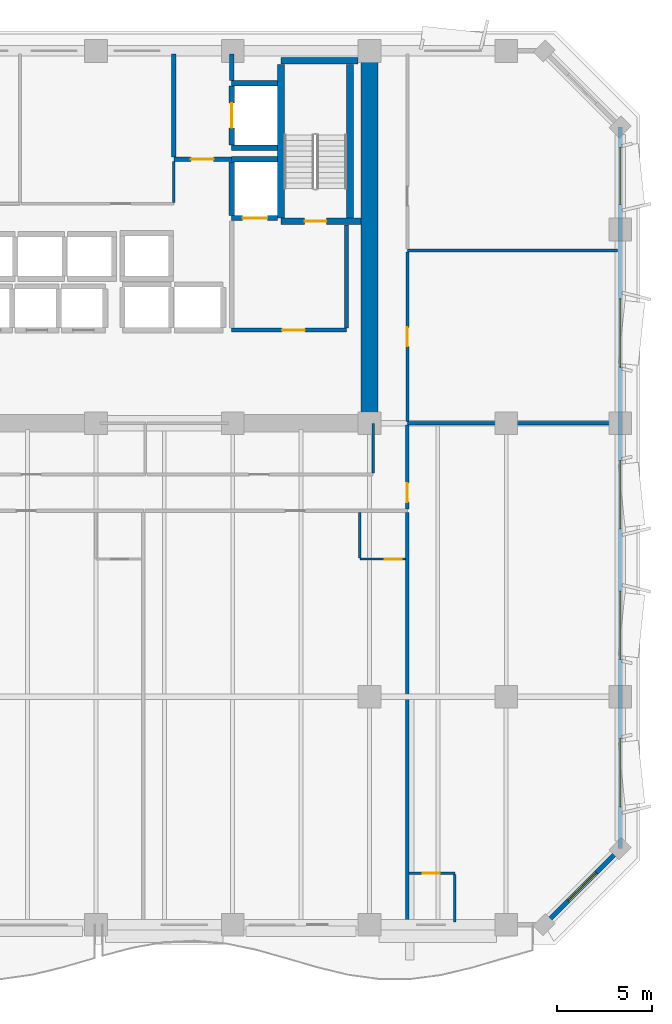
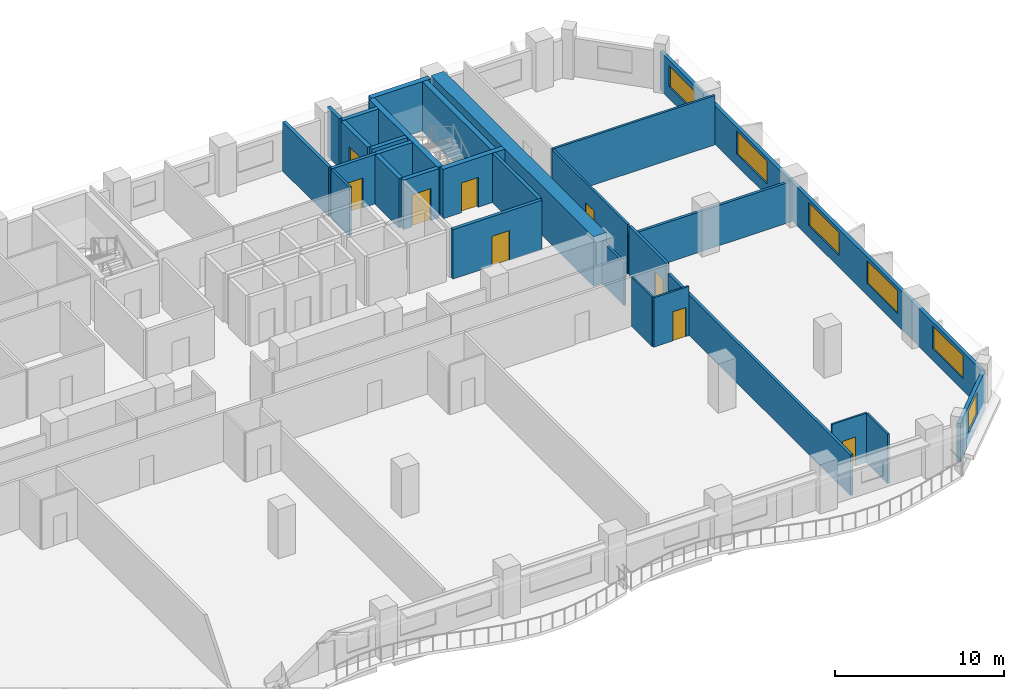
# One storey, part 8 of 14: 29 walls, 9 doors, 6 windows, 15 openings.
"""IFC4 building model written with IfcOpenShell, lengths in metres."""

from ifc_helpers import new_model, si_unit, direction, frame, frame_2d, origin, place, context, subcontext, project, spatial, rectangle, extrude, material, layer, layer_set, type_object, element, fill, save


model = new_model("IFC4")

# Units and contexts
model_context = context("Model", 3, precision=1e-05, world=origin(), true_north=direction((0.0, 1.0)))
body_context = subcontext(model_context, "Body", "Model", "MODEL_VIEW")
ifc_project = project(units=[si_unit("LENGTHUNIT", "METRE"), si_unit("AREAUNIT", "SQUARE_METRE"), si_unit("VOLUMEUNIT", "CUBIC_METRE"), si_unit("PLANEANGLEUNIT", "RADIAN"), si_unit("MASSUNIT", "GRAM", prefix="KILO")], contexts=[model_context])

# Site, building, storey
site_placement = place(None, origin())
site = spatial("IfcSite", under=ifc_project, at=site_placement, CompositionType="ELEMENT")
building_placement = place(site_placement, origin())
building = spatial("IfcBuilding", under=site, at=building_placement, Name="Kaelvorn Grand Hotel", CompositionType="ELEMENT")
storey_placement = place(building_placement, frame((0.0, 0.0, 212.949951171875)))
storey = spatial("IfcBuildingStorey", under=building, at=storey_placement, Name="L52", CompositionType="ELEMENT", Elevation=212.949951171875)

# Wall
ifc_material_1 = material(Name="Concrete C60/75", Category="concrete")
ifc_layer_1 = layer(ifc_material_1, 0.89990234375)
ifc_layer_set_1 = layer_set([ifc_layer_1], Name="Concrete C60/75")
wall_type_1 = type_object("IfcWallType", Name="WL-CORE-900-C60", PredefinedType="SHEAR", material=ifc_layer_set_1)
wall_1_placement = place(storey_placement, frame((67.800048828125, 29.39990234375, 0.0), z_axis=(0.0, 0.0, 1.0), x_axis=(0.0, 1.0, 0.0)))
element("IfcWall", 1, at=wall_1_placement, inside=storey, type_object=wall_type_1, Name="L52 Rear-Core East Shear Wall", PredefinedType="SHEAR", context=body_context, shape_type="SweptSolid", body=[
    extrude(rectangle(XDim=19.2001953125, YDim=0.89990234375, at=frame_2d((9.60009765625, 0.0))), origin(), (0.0, 0.0, 1.0), 3.56005859375),
])

# Wall, opening, window
ifc_material_2 = material(Name="Concrete C40/50", Category="concrete")
ifc_layer_2 = layer(ifc_material_2, 0.239990234375)
ifc_layer_set_2 = layer_set([ifc_layer_2], Name="Concrete C40/50")
wall_type_2 = type_object("IfcWallType", Name="WL-EXT-240-C40", PredefinedType="SOLIDWALL", material=ifc_layer_set_2)
wall_2_placement = place(storey_placement, frame((77.0, 3.0, 0.0), z_axis=(0.0, 0.0, 1.0), x_axis=(0.707106781187, 0.707106781187, 0.0)))
wall_2 = element("IfcWall", 2, at=wall_2_placement, inside=storey, type_object=wall_type_2, Name="L52 Exterior Architectural Concrete Wall 02", PredefinedType="SOLIDWALL", context=body_context, shape_type="SweptSolid", body=[
    extrude(rectangle(XDim=5.65673828125, YDim=0.239990234375, at=frame_2d((2.828369140625, 0.0))), origin(), (0.0, 0.0, 1.0), 2.760009765625),
])
opening_1_placement = place(wall_2_placement, frame((1.7783203125, 0.0, 0.85009765625)))
opening_1 = element("IfcOpeningElement", 3, at=opening_1_placement, cuts=wall_2, Name="Opening W7", PredefinedType="OPENING", context=body_context, shape_type="SweptSolid", body=[
    extrude(rectangle(XDim=2.10009765625, YDim=1.60009765625, at=frame_2d((1.050048828125, 0.800048828125))), frame((0.0, 0.1298828125, 0.0), z_axis=(0.0, -1.0, 0.0), x_axis=(1.0, 0.0, 0.0)), (0.0, 0.0, 1.0), 0.260009765625),
])
ifc_material_3 = material(Name="Laminated Low-E Glass", Category="glass")
window_type_1 = type_object("IfcWindowType", Name="WIN-CHM-2100x1600", PartitioningType="SINGLE_PANEL", PredefinedType="WINDOW", material=ifc_material_3)
window_1_placement = place(opening_1_placement, origin())
window_1 = element("IfcWindow", 4, at=window_1_placement, inside=storey, type_object=window_type_1, Name="L52 Chamfered 45-Degree Corner Window SE", OverallHeight=1.60009765625, OverallWidth=2.10009765625, PartitioningType="SINGLE_PANEL", PredefinedType="WINDOW", context=body_context, shape_type="SweptSolid", body=[
    extrude(rectangle(XDim=2.10009765625, YDim=1.60009765625, at=frame_2d((1.050048828125, 0.800048828125))), frame((0.0, 0.030029296875, 0.0), z_axis=(0.0, -1.0, 0.0), x_axis=(1.0, 0.0, 0.0)), (0.0, 0.0, 1.0), 0.06005859375),
])
fill(opening_1, window_1)

# Wall, openings, windows
wall_3_placement = place(storey_placement, frame((81.0, 7.0, 0.0), z_axis=(0.0, 0.0, 1.0), x_axis=(0.0, 1.0, 0.0)))
wall_3 = element("IfcWall", 5, at=wall_3_placement, inside=storey, type_object=wall_type_2, Name="L52 Exterior Architectural Concrete Wall 03", PredefinedType="SOLIDWALL", context=body_context, shape_type="SweptSolid", body=[
    extrude(rectangle(XDim=38.0, YDim=0.239990234375, at=frame_2d((19.0, 0.0))), origin(), (0.0, 0.0, 1.0), 2.760009765625),
])
opening_2_placement = place(wall_3_placement, frame((2.199951171875, 0.0, 0.85009765625)))
opening_2 = element("IfcOpeningElement", 6, at=opening_2_placement, cuts=wall_3, Name="Opening W3", PredefinedType="OPENING", context=body_context, shape_type="SweptSolid", body=[
    extrude(rectangle(XDim=3.60009765625, YDim=1.64990234375, at=frame_2d((1.800048828125, 0.824951171875))), frame((0.0, 0.1298828125, 0.0), z_axis=(0.0, -1.0, 0.0), x_axis=(1.0, 0.0, 0.0)), (0.0, 0.0, 1.0), 0.260009765625),
])
opening_3_placement = place(wall_3_placement, frame((9.965087890625, 0.0, 0.85009765625)))
opening_3 = element("IfcOpeningElement", 7, at=opening_3_placement, cuts=wall_3, Name="Opening W3", PredefinedType="OPENING", context=body_context, shape_type="SweptSolid", body=[
    extrude(rectangle(XDim=3.60009765625, YDim=1.64990234375, at=frame_2d((1.800048828125, 0.824951171875))), frame((0.0, 0.1298828125, 0.0), z_axis=(0.0, -1.0, 0.0), x_axis=(1.0, 0.0, 0.0)), (0.0, 0.0, 1.0), 0.260009765625),
])
opening_4_placement = place(wall_3_placement, frame((16.8349609375, 0.0, 0.85009765625)))
opening_4 = element("IfcOpeningElement", 8, at=opening_4_placement, cuts=wall_3, Name="Opening W3", PredefinedType="OPENING", context=body_context, shape_type="SweptSolid", body=[
    extrude(rectangle(XDim=3.60009765625, YDim=1.64990234375, at=frame_2d((1.800048828125, 0.824951171875))), frame((0.0, 0.1298828125, 0.0), z_axis=(0.0, -1.0, 0.0), x_axis=(1.0, 0.0, 0.0)), (0.0, 0.0, 1.0), 0.260009765625),
])
opening_5_placement = place(wall_3_placement, frame((25.35009765625, 0.0, 0.85009765625)))
opening_5 = element("IfcOpeningElement", 9, at=opening_5_placement, cuts=wall_3, Name="Opening W3", PredefinedType="OPENING", context=body_context, shape_type="SweptSolid", body=[
    extrude(rectangle(XDim=3.60009765625, YDim=1.64990234375, at=frame_2d((1.800048828125, 0.824951171875))), frame((0.0, 0.1298828125, 0.0), z_axis=(0.0, -1.0, 0.0), x_axis=(1.0, 0.0, 0.0)), (0.0, 0.0, 1.0), 0.260009765625),
])
opening_6_placement = place(wall_3_placement, frame((33.9150390625, 0.0, 0.85009765625)))
opening_6 = element("IfcOpeningElement", 10, at=opening_6_placement, cuts=wall_3, Name="Opening W5", PredefinedType="OPENING", context=body_context, shape_type="SweptSolid", body=[
    extrude(rectangle(XDim=3.0, YDim=1.5, at=frame_2d((1.5, 0.75))), frame((0.0, 0.1298828125, 0.0), z_axis=(0.0, -1.0, 0.0), x_axis=(1.0, 0.0, 0.0)), (0.0, 0.0, 1.0), 0.260009765625),
])
window_type_2 = type_object("IfcWindowType", Name="WIN-NTH-3000x1500", PartitioningType="SINGLE_PANEL", PredefinedType="WINDOW", material=ifc_material_3)
window_2_placement = place(opening_6_placement, origin())
window_2 = element("IfcWindow", 11, at=window_2_placement, inside=storey, type_object=window_type_2, Name="L52 E Wing Tilted-Frame Ribbon Window E05", OverallHeight=1.5, OverallWidth=3.0, PartitioningType="SINGLE_PANEL", PredefinedType="WINDOW", context=body_context, shape_type="SweptSolid", body=[
    extrude(rectangle(XDim=3.0, YDim=1.5, at=frame_2d((1.5, 0.75))), frame((0.0, 0.030029296875, 0.0), z_axis=(0.0, -1.0, 0.0), x_axis=(1.0, 0.0, 0.0)), (0.0, 0.0, 1.0), 0.06005859375),
])
fill(opening_6, window_2)
window_type_3 = type_object("IfcWindowType", Name="WIN-RIB-3600x1750", PartitioningType="SINGLE_PANEL", PredefinedType="WINDOW", material=ifc_material_3)
window_3_placement = place(opening_2_placement, origin())
window_3 = element("IfcWindow", 12, at=window_3_placement, inside=storey, type_object=window_type_3, Name="L52 E Wing Tilted-Frame Ribbon Window E01", OverallHeight=1.64990234375, OverallWidth=3.60009765625, PartitioningType="SINGLE_PANEL", PredefinedType="WINDOW", context=body_context, shape_type="SweptSolid", body=[
    extrude(rectangle(XDim=3.60009765625, YDim=1.64990234375, at=frame_2d((1.800048828125, 0.824951171875))), frame((0.0, 0.030029296875, 0.0), z_axis=(0.0, -1.0, 0.0), x_axis=(1.0, 0.0, 0.0)), (0.0, 0.0, 1.0), 0.06005859375),
])
fill(opening_2, window_3)
window_4_placement = place(opening_3_placement, origin())
window_4 = element("IfcWindow", 13, at=window_4_placement, inside=storey, type_object=window_type_3, Name="L52 E Wing Tilted-Frame Ribbon Window E02", OverallHeight=1.64990234375, OverallWidth=3.60009765625, PartitioningType="SINGLE_PANEL", PredefinedType="WINDOW", context=body_context, shape_type="SweptSolid", body=[
    extrude(rectangle(XDim=3.60009765625, YDim=1.64990234375, at=frame_2d((1.800048828125, 0.824951171875))), frame((0.0, 0.030029296875, 0.0), z_axis=(0.0, -1.0, 0.0), x_axis=(1.0, 0.0, 0.0)), (0.0, 0.0, 1.0), 0.06005859375),
])
fill(opening_3, window_4)
window_5_placement = place(opening_4_placement, origin())
window_5 = element("IfcWindow", 14, at=window_5_placement, inside=storey, type_object=window_type_3, Name="L52 E Wing Tilted-Frame Ribbon Window E03", OverallHeight=1.64990234375, OverallWidth=3.60009765625, PartitioningType="SINGLE_PANEL", PredefinedType="WINDOW", context=body_context, shape_type="SweptSolid", body=[
    extrude(rectangle(XDim=3.60009765625, YDim=1.64990234375, at=frame_2d((1.800048828125, 0.824951171875))), frame((0.0, 0.030029296875, 0.0), z_axis=(0.0, -1.0, 0.0), x_axis=(1.0, 0.0, 0.0)), (0.0, 0.0, 1.0), 0.06005859375),
])
fill(opening_4, window_5)
window_6_placement = place(opening_5_placement, origin())
window_6 = element("IfcWindow", 15, at=window_6_placement, inside=storey, type_object=window_type_3, Name="L52 E Wing Tilted-Frame Ribbon Window E04", OverallHeight=1.64990234375, OverallWidth=3.60009765625, PartitioningType="SINGLE_PANEL", PredefinedType="WINDOW", context=body_context, shape_type="SweptSolid", body=[
    extrude(rectangle(XDim=3.60009765625, YDim=1.64990234375, at=frame_2d((1.800048828125, 0.824951171875))), frame((0.0, 0.030029296875, 0.0), z_axis=(0.0, -1.0, 0.0), x_axis=(1.0, 0.0, 0.0)), (0.0, 0.0, 1.0), 0.06005859375),
])
fill(opening_5, window_6)

# Wall, opening, door
ifc_material_4 = material(Name="Moisture-Resistant Tile & Stud Board")
ifc_layer_3 = layer(ifc_material_4, 0.125)
ifc_layer_set_3 = layer_set([ifc_layer_3], Name="Moisture-Resistant Tile & Stud Board")
wall_type_3 = type_object("IfcWallType", Name="WL-PART-125-WET", PredefinedType="PARTITIONING", material=ifc_layer_set_3)
wall_4_placement = place(storey_placement, frame((67.300048828125, 22.25, 0.0), z_axis=(0.0, 0.0, 1.0), x_axis=(1.0, 0.0, 0.0)))
wall_4 = element("IfcWall", 16, at=wall_4_placement, inside=storey, type_object=wall_type_3, Name="L52 En-suite Bathroom L52-04 S Partition", PredefinedType="PARTITIONING", context=body_context, shape_type="SweptSolid", body=[
    extrude(rectangle(XDim=2.405029296875, YDim=0.125, at=frame_2d((1.20263671875, 0.0))), origin(), (0.0, 0.0, 1.0), 3.56005859375),
])
opening_7_placement = place(wall_4_placement, frame((1.300048828125, 0.0, 0.0)))
opening_7 = element("IfcOpeningElement", 17, at=opening_7_placement, cuts=wall_4, Name="Opening DI4", PredefinedType="OPENING", context=body_context, shape_type="SweptSolid", body=[
    extrude(rectangle(XDim=0.89990234375, YDim=2.10009765625, at=frame_2d((0.449951171875, 1.050048828125))), frame((0.0, 0.072509765625, 0.0), z_axis=(0.0, -1.0, 0.0), x_axis=(1.0, 0.0, 0.0)), (0.0, 0.0, 1.0), 0.14501953125),
])
ifc_material_5 = material(Name="Timber Veneer Leaf", Category="wood")
door_type_1 = type_object("IfcDoorType", Name="DR-INT-BATH-900x2100", OperationType="NOTDEFINED", PredefinedType="DOOR", material=ifc_material_5)
door_1_placement = place(opening_7_placement, origin())
door_1 = element("IfcDoor", 18, at=door_1_placement, inside=storey, type_object=door_type_1, Name="L52 En-suite Bathroom L52-04 Door", OperationType="SINGLE_SWING_LEFT", OverallHeight=2.10009765625, OverallWidth=0.89990234375, PredefinedType="DOOR", context=body_context, shape_type="SweptSolid", body=[
    extrude(rectangle(XDim=0.89990234375, YDim=2.10009765625, at=frame_2d((0.449951171875, 1.050048828125))), frame((0.0, 0.02490234375, 0.0), z_axis=(0.0, -1.0, 0.0), x_axis=(1.0, 0.0, 0.0)), (0.0, 0.0, 1.0), 0.050048828125),
])
fill(opening_7, door_1)

# Wall
wall_5_placement = place(storey_placement, frame((67.300048828125, 22.3173828125, 0.0), z_axis=(0.0, 0.0, 1.0), x_axis=(0.0, 1.0, 0.0)))
element("IfcWall", 19, at=wall_5_placement, inside=storey, type_object=wall_type_3, Name="L52 En-suite Bathroom L52-04 W Partition", PredefinedType="PARTITIONING", context=body_context, shape_type="SweptSolid", body=[
    extrude(rectangle(XDim=2.3876953125, YDim=0.125, at=frame_2d((1.19384765625, 0.0))), origin(), (0.0, 0.0, 1.0), 3.56005859375),
])

# Wall, opening, door
wall_6_placement = place(storey_placement, frame((69.89501953125, 5.699951171875, 0.0), z_axis=(0.0, 0.0, 1.0), x_axis=(1.0, 0.0, 0.0)))
wall_6 = element("IfcWall", 20, at=wall_6_placement, inside=storey, type_object=wall_type_3, Name="L52 En-suite Bathroom L52-06 N Partition", PredefinedType="PARTITIONING", context=body_context, shape_type="SweptSolid", body=[
    extrude(rectangle(XDim=2.405029296875, YDim=0.125, at=frame_2d((1.20263671875, 0.0))), origin(), (0.0, 0.0, 1.0), 3.56005859375),
])
opening_8_placement = place(wall_6_placement, frame((0.705078125, 0.0, 0.0)))
opening_8 = element("IfcOpeningElement", 21, at=opening_8_placement, cuts=wall_6, Name="Opening DI4", PredefinedType="OPENING", context=body_context, shape_type="SweptSolid", body=[
    extrude(rectangle(XDim=0.89990234375, YDim=2.10009765625, at=frame_2d((0.449951171875, 1.050048828125))), frame((0.0, 0.072509765625, 0.0), z_axis=(0.0, -1.0, 0.0), x_axis=(1.0, 0.0, 0.0)), (0.0, 0.0, 1.0), 0.14501953125),
])
door_2_placement = place(opening_8_placement, origin())
door_2 = element("IfcDoor", 22, at=door_2_placement, inside=storey, type_object=door_type_1, Name="L52 En-suite Bathroom L52-06 Door", OperationType="SINGLE_SWING_LEFT", OverallHeight=2.10009765625, OverallWidth=0.89990234375, PredefinedType="DOOR", context=body_context, shape_type="SweptSolid", body=[
    extrude(rectangle(XDim=0.89990234375, YDim=2.10009765625, at=frame_2d((0.449951171875, 1.050048828125))), frame((0.0, 0.02490234375, 0.0), z_axis=(0.0, -1.0, 0.0), x_axis=(1.0, 0.0, 0.0)), (0.0, 0.0, 1.0), 0.050048828125),
])
fill(opening_8, door_2)

# Walls
wall_7_placement = place(storey_placement, frame((72.300048828125, 3.14990234375, 0.0), z_axis=(0.0, 0.0, 1.0), x_axis=(0.0, 1.0, 0.0)))
element("IfcWall", 23, at=wall_7_placement, inside=storey, type_object=wall_type_3, Name="L52 En-suite Bathroom L52-06 E Partition", PredefinedType="PARTITIONING", context=body_context, shape_type="SweptSolid", body=[
    extrude(rectangle(XDim=2.482666015625, YDim=0.125, at=frame_2d((1.2412109375, 0.0))), origin(), (0.0, 0.0, 1.0), 3.56005859375),
])
ifc_material_6 = material(Name="Acoustic Gypsum & Stud Partition")
ifc_layer_4 = layer(ifc_material_6, 0.14990234375)
ifc_layer_set_4 = layer_set([ifc_layer_4], Name="Acoustic Gypsum & Stud Partition")
wall_type_4 = type_object("IfcWallType", Name="WL-PART-150-EI60", PredefinedType="PARTITIONING", material=ifc_layer_set_4)
wall_8_placement = place(storey_placement, frame((57.5, 41.030029296875, 0.0), z_axis=(0.0, 0.0, 1.0), x_axis=(0.0, 1.0, 0.0)))
element("IfcWall", 24, at=wall_8_placement, inside=storey, type_object=wall_type_4, Name="L52 Butler Servery Pantry E Partition", PredefinedType="PARTITIONING", context=body_context, shape_type="SweptSolid", body=[
    extrude(rectangle(XDim=2.155029296875, YDim=0.14990234375, at=frame_2d((1.07763671875, 0.0))), origin(), (0.0, 0.0, 1.0), 3.56005859375),
])
wall_9_placement = place(storey_placement, frame((68.0, 26.780029296875, 0.0), z_axis=(0.0, 0.0, 1.0), x_axis=(0.0, 1.0, 0.0)))
element("IfcWall", 25, at=wall_9_placement, inside=storey, type_object=wall_type_4, Name="L52 Trade Advisory Office E Partition", PredefinedType="PARTITIONING", context=body_context, shape_type="SweptSolid", body=[
    extrude(rectangle(XDim=2.60986328125, YDim=0.14990234375, at=frame_2d((1.304931640625, 0.0))), origin(), (0.0, 0.0, 1.0), 3.06005859375),
])
wall_10_placement = place(storey_placement, frame((69.800048828125, 38.5, 0.0), z_axis=(0.0, 0.0, 1.0), x_axis=(1.0, 0.0, 0.0)))
element("IfcWall", 26, at=wall_10_placement, inside=storey, type_object=wall_type_4, Name="L52 North-East Trade Advisory Office N Partition", PredefinedType="PARTITIONING", context=body_context, shape_type="SweptSolid", body=[
    extrude(rectangle(XDim=11.050048828125, YDim=0.14990234375, at=frame_2d((5.52490234375, 0.0))), origin(), (0.0, 0.0, 1.0), 3.56005859375),
])

# Wall, opening, door
wall_11_placement = place(storey_placement, frame((69.800048828125, 29.4951171875, 0.0), z_axis=(0.0, 0.0, 1.0), x_axis=(0.0, 1.0, 0.0)))
wall_11 = element("IfcWall", 27, at=wall_11_placement, inside=storey, type_object=wall_type_4, Name="L52 North-East Trade Advisory Office W Partition", PredefinedType="PARTITIONING", context=body_context, shape_type="SweptSolid", body=[
    extrude(rectangle(XDim=8.9248046875, YDim=0.14990234375, at=frame_2d((4.46240234375, 0.0))), origin(), (0.0, 0.0, 1.0), 3.56005859375),
])
opening_9_placement = place(wall_11_placement, frame((3.955078125, 0.0, 0.0)))
opening_9 = element("IfcOpeningElement", 28, at=opening_9_placement, cuts=wall_11, Name="Opening DI3", PredefinedType="OPENING", context=body_context, shape_type="SweptSolid", body=[
    extrude(rectangle(XDim=1.0, YDim=2.14990234375, at=frame_2d((0.5, 1.074951171875))), frame((0.0, 0.0849609375, 0.0), z_axis=(0.0, -1.0, 0.0), x_axis=(1.0, 0.0, 0.0)), (0.0, 0.0, 1.0), 0.169921875),
])
ifc_material_7 = material(Name="Timber Veneer Fire Leaf", Category="wood")
door_type_2 = type_object("IfcDoorType", Name="DR-INT-GUEST-1000x2150", OperationType="NOTDEFINED", PredefinedType="DOOR", material=ifc_material_7)
door_3_placement = place(opening_9_placement, origin())
door_3 = element("IfcDoor", 29, at=door_3_placement, inside=storey, type_object=door_type_2, Name="L52 North-East Trade Advisory Office Door", OperationType="SINGLE_SWING_RIGHT", OverallHeight=2.14990234375, OverallWidth=1.0, PredefinedType="DOOR", context=body_context, shape_type="SweptSolid", body=[
    extrude(rectangle(XDim=1.0, YDim=2.14990234375, at=frame_2d((0.5, 1.074951171875))), frame((0.0, 0.02490234375, 0.0), z_axis=(0.0, -1.0, 0.0), x_axis=(1.0, 0.0, 0.0)), (0.0, 0.0, 1.0), 0.050048828125),
])
fill(opening_9, door_3)

# Walls
ifc_layer_5 = layer(ifc_material_6, 0.179931640625)
ifc_layer_set_5 = layer_set([ifc_layer_5], Name="Acoustic Gypsum & Stud Partition")
wall_type_5 = type_object("IfcWallType", Name="WL-PART-180-EI60", PredefinedType="PARTITIONING", material=ifc_layer_set_5)
wall_12_placement = place(storey_placement, frame((69.800048828125, 3.14990234375, 0.0), z_axis=(0.0, 0.0, 1.0), x_axis=(0.0, 1.0, 0.0)))
element("IfcWall", 30, at=wall_12_placement, inside=storey, type_object=wall_type_5, Name="L52 Presidential Sky Suite L52-04 E Partition", PredefinedType="PARTITIONING", context=body_context, shape_type="SweptSolid", body=[
    extrude(rectangle(XDim=21.55517578125, YDim=0.179931640625, at=frame_2d((10.777587890625, 0.0))), origin(), (0.0, 0.0, 1.0), 2.929931640625),
])
wall_13_placement = place(storey_placement, frame((69.800048828125, 29.39990234375, 0.0), z_axis=(0.0, 0.0, 1.0), x_axis=(1.0, 0.0, 0.0)))
element("IfcWall", 31, at=wall_13_placement, inside=storey, type_object=wall_type_5, Name="L52 Presidential Sky Suite L52-06 N Partition", PredefinedType="PARTITIONING", context=body_context, shape_type="SweptSolid", body=[
    extrude(rectangle(XDim=11.050048828125, YDim=0.179931640625, at=frame_2d((5.52490234375, 0.0))), origin(), (0.0, 0.0, 1.0), 2.91015625),
])

# Wall, opening, door
wall_14_placement = place(storey_placement, frame((69.800048828125, 24.89501953125, 0.0), z_axis=(0.0, 0.0, 1.0), x_axis=(0.0, 1.0, 0.0)))
wall_14 = element("IfcWall", 32, at=wall_14_placement, inside=storey, type_object=wall_type_5, Name="L52 Presidential Sky Suite L52-06 W Partition", PredefinedType="PARTITIONING", context=body_context, shape_type="SweptSolid", body=[
    extrude(rectangle(XDim=4.409912109375, YDim=0.179931640625, at=frame_2d((2.205078125, 0.0))), origin(), (0.0, 0.0, 1.0), 3.56005859375),
])
opening_10_placement = place(wall_14_placement, frame((0.35498046875, 0.0, 0.0)))
opening_10 = element("IfcOpeningElement", 33, at=opening_10_placement, cuts=wall_14, Name="Opening DI3", PredefinedType="OPENING", context=body_context, shape_type="SweptSolid", body=[
    extrude(rectangle(XDim=1.0, YDim=2.14990234375, at=frame_2d((0.5, 1.074951171875))), frame((0.0, 0.10009765625, 0.0), z_axis=(0.0, -1.0, 0.0), x_axis=(1.0, 0.0, 0.0)), (0.0, 0.0, 1.0), 0.199951171875),
])
door_4_placement = place(opening_10_placement, origin())
door_4 = element("IfcDoor", 34, at=door_4_placement, inside=storey, type_object=door_type_2, Name="L52 Presidential Sky Suite L52-06 Door", OperationType="SINGLE_SWING_RIGHT", OverallHeight=2.14990234375, OverallWidth=1.0, PredefinedType="DOOR", context=body_context, shape_type="SweptSolid", body=[
    extrude(rectangle(XDim=1.0, YDim=2.14990234375, at=frame_2d((0.5, 1.074951171875))), frame((0.0, 0.02490234375, 0.0), z_axis=(0.0, -1.0, 0.0), x_axis=(1.0, 0.0, 0.0)), (0.0, 0.0, 1.0), 0.050048828125),
])
fill(opening_10, door_4)

ifc_layer_6 = layer(ifc_material_2, 0.219970703125)
ifc_layer_set_6 = layer_set([ifc_layer_6], Name="Concrete C40/50")
wall_type_6 = type_object("IfcWallType", Name="WL-PART-220-EI120", PredefinedType="PARTITIONING", material=ifc_layer_set_6)
wall_15_placement = place(storey_placement, frame((60.550048828125, 34.300048828125, 0.0), z_axis=(0.0, 0.0, 1.0), x_axis=(1.0, 0.0, 0.0)))
wall_15 = element("IfcWall", 35, at=wall_15_placement, inside=storey, type_object=wall_type_6, Name="L52 Firefighting Lift Lobby 2 S Partition", PredefinedType="PARTITIONING", context=body_context, shape_type="SweptSolid", body=[
    extrude(rectangle(XDim=6.050048828125, YDim=0.219970703125, at=frame_2d((3.02490234375, 0.0))), origin(), (0.0, 0.0, 1.0), 3.56005859375),
])
opening_11_placement = place(wall_15_placement, frame((2.64990234375, 0.0, 0.0)))
opening_11 = element("IfcOpeningElement", 36, at=opening_11_placement, cuts=wall_15, Name="Opening DI2", PredefinedType="OPENING", context=body_context, shape_type="SweptSolid", body=[
    extrude(rectangle(XDim=1.199951171875, YDim=2.14990234375, at=frame_2d((0.60009765625, 1.074951171875))), frame((0.0, 0.1201171875, 0.0), z_axis=(0.0, -1.0, 0.0), x_axis=(1.0, 0.0, 0.0)), (0.0, 0.0, 1.0), 0.239990234375),
])
door_type_3 = type_object("IfcDoorType", Name="DR-INT-FFLOB-1200x2150", OperationType="NOTDEFINED", PredefinedType="DOOR", material=ifc_material_7)
door_5_placement = place(opening_11_placement, origin())
door_5 = element("IfcDoor", 37, at=door_5_placement, inside=storey, type_object=door_type_3, Name="L52 Firefighting Lift Lobby 2 Door", OperationType="SINGLE_SWING_RIGHT", OverallHeight=2.14990234375, OverallWidth=1.199951171875, PredefinedType="DOOR", context=body_context, shape_type="SweptSolid", body=[
    extrude(rectangle(XDim=1.199951171875, YDim=2.14990234375, at=frame_2d((0.60009765625, 1.074951171875))), frame((0.0, 0.02490234375, 0.0), z_axis=(0.0, -1.0, 0.0), x_axis=(1.0, 0.0, 0.0)), (0.0, 0.0, 1.0), 0.050048828125),
])
fill(opening_11, door_5)

# Wall
wall_16_placement = place(storey_placement, frame((66.60009765625, 34.4150390625, 0.0), z_axis=(0.0, 0.0, 1.0), x_axis=(0.0, 1.0, 0.0)))
element("IfcWall", 38, at=wall_16_placement, inside=storey, type_object=wall_type_6, Name="L52 Firefighting Lift Lobby 2 E Partition", PredefinedType="PARTITIONING", context=body_context, shape_type="SweptSolid", body=[
    extrude(rectangle(XDim=5.429931640625, YDim=0.219970703125, at=frame_2d((2.71484375, 0.0))), origin(), (0.0, 0.0, 1.0), 3.56005859375),
])

# Wall, opening, door
wall_17_placement = place(storey_placement, frame((57.5, 43.300048828125, 0.0), z_axis=(0.0, 0.0, 1.0), x_axis=(1.0, 0.0, 0.0)))
wall_17 = element("IfcWall", 39, at=wall_17_placement, inside=storey, type_object=wall_type_6, Name="L52 Service Lift Lobby S Partition", PredefinedType="PARTITIONING", context=body_context, shape_type="SweptSolid", body=[
    extrude(rectangle(XDim=3.0400390625, YDim=0.219970703125, at=frame_2d((1.52001953125, 0.0))), origin(), (0.0, 0.0, 1.0), 3.56005859375),
])
opening_12_placement = place(wall_17_placement, frame((0.89990234375, 0.0, 0.0)))
opening_12 = element("IfcOpeningElement", 40, at=opening_12_placement, cuts=wall_17, Name="Opening DI2", PredefinedType="OPENING", context=body_context, shape_type="SweptSolid", body=[
    extrude(rectangle(XDim=1.199951171875, YDim=2.14990234375, at=frame_2d((0.60009765625, 1.074951171875))), frame((0.0, 0.1201171875, 0.0), z_axis=(0.0, -1.0, 0.0), x_axis=(1.0, 0.0, 0.0)), (0.0, 0.0, 1.0), 0.239990234375),
])
door_6_placement = place(opening_12_placement, origin())
door_6 = element("IfcDoor", 41, at=door_6_placement, inside=storey, type_object=door_type_3, Name="L52 Service Lift Lobby Door", OperationType="SINGLE_SWING_RIGHT", OverallHeight=2.14990234375, OverallWidth=1.199951171875, PredefinedType="DOOR", context=body_context, shape_type="SweptSolid", body=[
    extrude(rectangle(XDim=1.199951171875, YDim=2.14990234375, at=frame_2d((0.60009765625, 1.074951171875))), frame((0.0, 0.02490234375, 0.0), z_axis=(0.0, -1.0, 0.0), x_axis=(1.0, 0.0, 0.0)), (0.0, 0.0, 1.0), 0.050048828125),
])
fill(opening_12, door_6)

# Walls
wall_18_placement = place(storey_placement, frame((57.5, 43.4150390625, 0.0), z_axis=(0.0, 0.0, 1.0), x_axis=(0.0, 1.0, 0.0)))
element("IfcWall", 42, at=wall_18_placement, inside=storey, type_object=wall_type_6, Name="L52 Service Lift Lobby W Partition", PredefinedType="PARTITIONING", context=body_context, shape_type="SweptSolid", body=[
    extrude(rectangle(XDim=5.43505859375, YDim=0.219970703125, at=frame_2d((2.717529296875, 0.0))), origin(), (0.0, 0.0, 1.0), 3.56005859375),
])
wall_19_placement = place(storey_placement, frame((60.550048828125, 47.445068359375, 0.0), z_axis=(0.0, 0.0, 1.0), x_axis=(0.0, 1.0, 0.0)))
element("IfcWall", 43, at=wall_19_placement, inside=storey, type_object=wall_type_6, Name="L52 Service Lift Lobby E Partition", PredefinedType="PARTITIONING", context=body_context, shape_type="SweptSolid", body=[
    extrude(rectangle(XDim=1.405029296875, YDim=0.219970703125, at=frame_2d((0.70263671875, 0.0))), origin(), (0.0, 0.0, 1.0), 3.56005859375),
])

# Wall, opening, door
ifc_material_8 = material(Name="Concrete C50/60", Category="concrete")
ifc_layer_7 = layer(ifc_material_8, 0.280029296875)
ifc_layer_set_7 = layer_set([ifc_layer_7], Name="Concrete C50/60")
wall_type_7 = type_object("IfcWallType", Name="WL-SHAFT-280-C50", PredefinedType="SHEAR", material=ifc_layer_set_7)
wall_20_placement = place(storey_placement, frame((60.550048828125, 40.199951171875, 0.0), z_axis=(0.0, 0.0, 1.0), x_axis=(1.0, 0.0, 0.0)))
wall_20 = element("IfcWall", 44, at=wall_20_placement, inside=storey, type_object=wall_type_7, Name="L52 Lift FFL2 Shaft South Wall", PredefinedType="SHEAR", context=body_context, shape_type="SweptSolid", body=[
    extrude(rectangle(XDim=2.4150390625, YDim=0.280029296875, at=frame_2d((1.20751953125, 0.0))), origin(), (0.0, 0.0, 1.0), 3.56005859375),
])
opening_13_placement = place(wall_20_placement, frame((0.574951171875, 0.0, 0.0)))
opening_13 = element("IfcOpeningElement", 45, at=opening_13_placement, cuts=wall_20, Name="Opening LD-FFL2", PredefinedType="OPENING", context=body_context, shape_type="SweptSolid", body=[
    extrude(rectangle(XDim=1.300048828125, YDim=2.300048828125, at=frame_2d((0.64990234375, 1.14990234375))), frame((0.0, 0.14990234375, 0.0), z_axis=(0.0, -1.0, 0.0), x_axis=(1.0, 0.0, 0.0)), (0.0, 0.0, 1.0), 0.300048828125),
])
ifc_material_9 = material(Name="Stainless Steel", Category="steel")
door_type_4 = type_object("IfcDoorType", Name="DR-LIFT-SERV-1300x2300", OperationType="DOUBLE_DOOR_SLIDING", PredefinedType="DOOR", material=ifc_material_9)
door_7_placement = place(opening_13_placement, origin())
door_7 = element("IfcDoor", 46, at=door_7_placement, inside=storey, type_object=door_type_4, Name="L52 Lift FFL2 Sliding Landing Door LD-FFL2", OperationType="DOUBLE_DOOR_SLIDING", OverallHeight=2.300048828125, OverallWidth=1.300048828125, PredefinedType="DOOR", context=body_context, shape_type="SweptSolid", body=[
    extrude(rectangle(XDim=1.300048828125, YDim=2.300048828125, at=frame_2d((0.64990234375, 1.14990234375))), frame((0.0, 0.02490234375, 0.0), z_axis=(0.0, -1.0, 0.0), x_axis=(1.0, 0.0, 0.0)), (0.0, 0.0, 1.0), 0.050048828125),
])
fill(opening_13, door_7)

# Walls
wall_21_placement = place(storey_placement, frame((60.550048828125, 43.300048828125, 0.0), z_axis=(0.0, 0.0, 1.0), x_axis=(1.0, 0.0, 0.0)))
element("IfcWall", 47, at=wall_21_placement, inside=storey, type_object=wall_type_7, Name="L52 Lift FFL2 Shaft North Wall", PredefinedType="SHEAR", context=body_context, shape_type="SweptSolid", body=[
    extrude(rectangle(XDim=2.4150390625, YDim=0.280029296875, at=frame_2d((1.20751953125, 0.0))), origin(), (0.0, 0.0, 1.0), 3.56005859375),
])
wall_22_placement = place(storey_placement, frame((60.550048828125, 40.344970703125, 0.0), z_axis=(0.0, 0.0, 1.0), x_axis=(0.0, 1.0, 0.0)))
element("IfcWall", 48, at=wall_22_placement, inside=storey, type_object=wall_type_7, Name="L52 Lift FFL2 Shaft West Wall", PredefinedType="SHEAR", context=body_context, shape_type="SweptSolid", body=[
    extrude(rectangle(XDim=2.81005859375, YDim=0.280029296875, at=frame_2d((1.405029296875, 0.0))), origin(), (0.0, 0.0, 1.0), 3.56005859375),
])
for number, where, z_axis, x_axis, name in (
    (49, (60.550048828125, 43.89990234375, 0.0), (0.0, 0.0, 1.0), (1.0, 0.0, 0.0), "L52 Lift SV1 Shaft South Wall"),
    (50, (60.550048828125, 47.300048828125, 0.0), (0.0, 0.0, 1.0), (1.0, 0.0, 0.0), "L52 Lift SV1 Shaft North Wall"),
):
    element("IfcWall", number, at=place(storey_placement, frame(where, z_axis=z_axis, x_axis=x_axis)), inside=storey, type_object=wall_type_7, Name=name, PredefinedType="SHEAR", context=body_context, shape_type="SweptSolid", body=[
        extrude(rectangle(XDim=2.4150390625, YDim=0.280029296875, at=frame_2d((1.20751953125, 0.0))), origin(), (0.0, 0.0, 1.0), 3.56005859375),
    ])

# Wall, opening, door
wall_23_placement = place(storey_placement, frame((60.550048828125, 44.044921875, 0.0), z_axis=(0.0, 0.0, 1.0), x_axis=(0.0, 1.0, 0.0)))
wall_23 = element("IfcWall", 51, at=wall_23_placement, inside=storey, type_object=wall_type_7, Name="L52 Lift SV1 Shaft West Wall", PredefinedType="SHEAR", context=body_context, shape_type="SweptSolid", body=[
    extrude(rectangle(XDim=3.110107421875, YDim=0.280029296875, at=frame_2d((1.55517578125, 0.0))), origin(), (0.0, 0.0, 1.0), 3.56005859375),
])
opening_14_placement = place(wall_23_placement, frame((0.905029296875, 0.0, 0.0)))
opening_14 = element("IfcOpeningElement", 52, at=opening_14_placement, cuts=wall_23, Name="Opening LD-SV1", PredefinedType="OPENING", context=body_context, shape_type="SweptSolid", body=[
    extrude(rectangle(XDim=1.300048828125, YDim=2.300048828125, at=frame_2d((0.64990234375, 1.14990234375))), frame((0.0, 0.14990234375, 0.0), z_axis=(0.0, -1.0, 0.0), x_axis=(1.0, 0.0, 0.0)), (0.0, 0.0, 1.0), 0.300048828125),
])
door_8_placement = place(opening_14_placement, origin())
door_8 = element("IfcDoor", 53, at=door_8_placement, inside=storey, type_object=door_type_4, Name="L52 Lift SV1 Sliding Landing Door LD-SV1", OperationType="DOUBLE_DOOR_SLIDING", OverallHeight=2.300048828125, OverallWidth=1.300048828125, PredefinedType="DOOR", context=body_context, shape_type="SweptSolid", body=[
    extrude(rectangle(XDim=1.300048828125, YDim=2.300048828125, at=frame_2d((0.64990234375, 1.14990234375))), frame((0.0, 0.02490234375, 0.0), z_axis=(0.0, -1.0, 0.0), x_axis=(1.0, 0.0, 0.0)), (0.0, 0.0, 1.0), 0.050048828125),
])
fill(opening_14, door_8)

ifc_layer_8 = layer(ifc_material_1, 0.35009765625)
ifc_layer_set_8 = layer_set([ifc_layer_8], Name="Concrete C60/75")
wall_type_8 = type_object("IfcWallType", Name="WL-SHAFT-350-C60", PredefinedType="SHEAR", material=ifc_layer_set_8)
wall_24_placement = place(storey_placement, frame((63.14501953125, 40.02490234375, 0.0), z_axis=(0.0, 0.0, 1.0), x_axis=(1.0, 0.0, 0.0)))
wall_24 = element("IfcWall", 54, at=wall_24_placement, inside=storey, type_object=wall_type_8, Name="L52 ST3 Stair Shaft South Wall", PredefinedType="SHEAR", context=body_context, shape_type="SweptSolid", body=[
    extrude(rectangle(XDim=4.199951171875, YDim=0.35009765625, at=frame_2d((2.10009765625, 0.0))), origin(), (0.0, 0.0, 1.0), 3.56005859375),
])
opening_15_placement = place(wall_24_placement, frame((1.239990234375, 0.0, 0.0)))
opening_15 = element("IfcOpeningElement", 55, at=opening_15_placement, cuts=wall_24, Name="Opening DI1", PredefinedType="OPENING", context=body_context, shape_type="SweptSolid", body=[
    extrude(rectangle(XDim=1.14990234375, YDim=2.14990234375, at=frame_2d((0.574951171875, 1.074951171875))), frame((0.0, 0.18505859375, 0.0), z_axis=(0.0, -1.0, 0.0), x_axis=(1.0, 0.0, 0.0)), (0.0, 0.0, 1.0), 0.3701171875),
])
door_type_5 = type_object("IfcDoorType", Name="DR-INT-STAIR-1150x2150", OperationType="NOTDEFINED", PredefinedType="DOOR", material=ifc_material_7)
door_9_placement = place(opening_15_placement, origin())
door_9 = element("IfcDoor", 56, at=door_9_placement, inside=storey, type_object=door_type_5, Name="L52 ST3 Exit Stair Fire Door", OperationType="SINGLE_SWING_RIGHT", OverallHeight=2.14990234375, OverallWidth=1.14990234375, PredefinedType="DOOR", context=body_context, shape_type="SweptSolid", body=[
    extrude(rectangle(XDim=1.14990234375, YDim=2.14990234375, at=frame_2d((0.574951171875, 1.074951171875))), frame((0.0, 0.02490234375, 0.0), z_axis=(0.0, -1.0, 0.0), x_axis=(1.0, 0.0, 0.0)), (0.0, 0.0, 1.0), 0.050048828125),
])
fill(opening_15, door_9)

# Walls
wall_25_placement = place(storey_placement, frame((63.14501953125, 48.47509765625, 0.0), z_axis=(0.0, 0.0, 1.0), x_axis=(1.0, 0.0, 0.0)))
element("IfcWall", 57, at=wall_25_placement, inside=storey, type_object=wall_type_8, Name="L52 ST3 Stair Shaft North Wall", PredefinedType="SHEAR", context=body_context, shape_type="SweptSolid", body=[
    extrude(rectangle(XDim=4.050048828125, YDim=0.35009765625, at=frame_2d((2.02490234375, 0.0))), origin(), (0.0, 0.0, 1.0), 3.56005859375),
])
for number, where, z_axis, x_axis, name in (
    (58, (63.14501953125, 40.205078125, 0.0), (0.0, 0.0, 1.0), (0.0, 1.0, 0.0), "L52 ST3 Stair Shaft West Wall"),
    (59, (66.77490234375, 40.205078125, 0.0), (0.0, 0.0, 1.0), (0.0, 1.0, 0.0), "L52 ST3 Stair Shaft East Wall"),
):
    element("IfcWall", number, at=place(storey_placement, frame(where, z_axis=z_axis, x_axis=x_axis)), inside=storey, type_object=wall_type_8, Name=name, PredefinedType="SHEAR", context=body_context, shape_type="SweptSolid", body=[
        extrude(rectangle(XDim=8.08984375, YDim=0.35009765625, at=frame_2d((4.044921875, 0.0))), origin(), (0.0, 0.0, 1.0), 3.56005859375),
    ])

save(model, "model.ifc")
